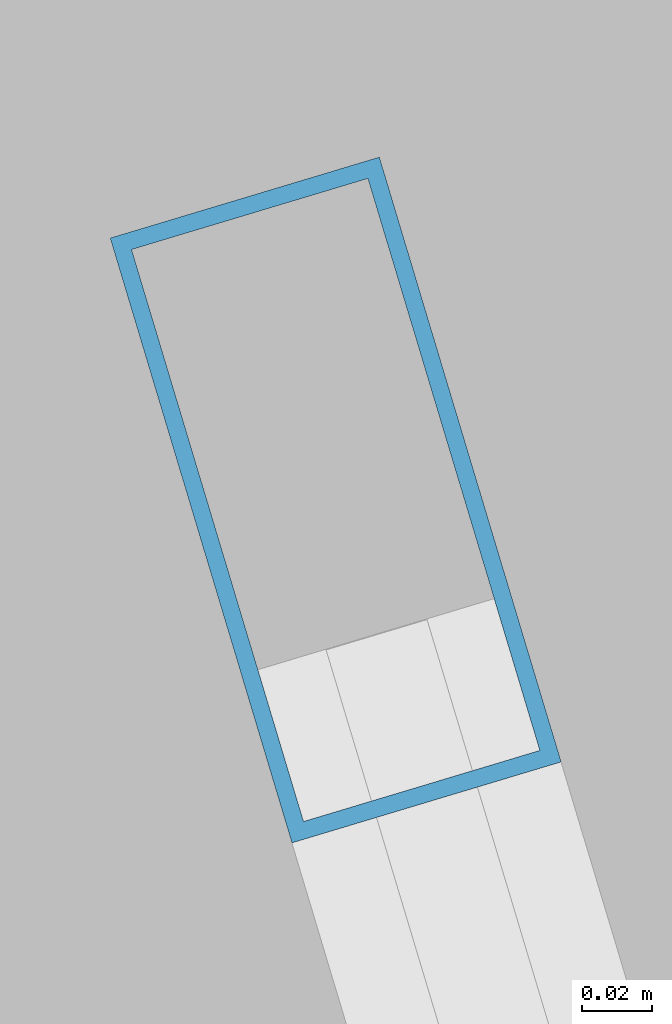
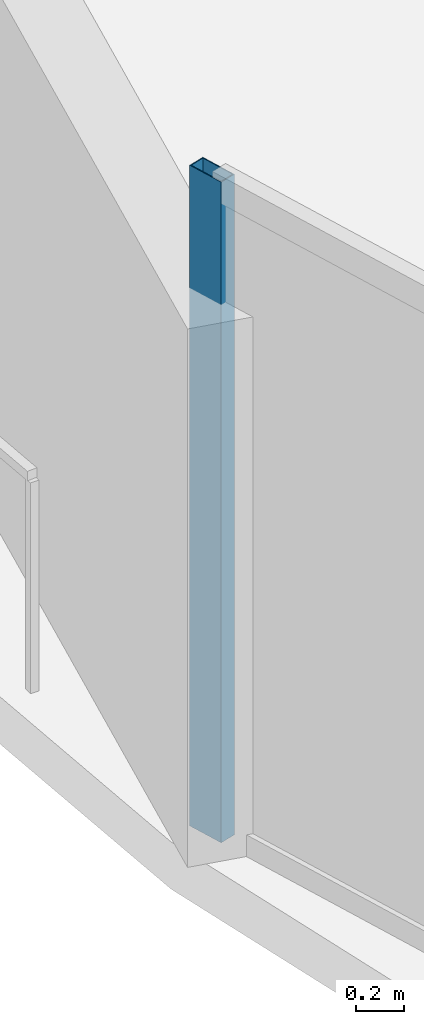
# One storey, part 8 of 31: 1 member, 1 element without a shape of its own.
"""IFC4 building model written with IfcOpenShell, lengths in metres."""

import ifcopenshell
import ifcopenshell.guid

model = None  # the IFC model being written
_history = None  # IfcOwnerHistory: only IFC2X3 demands one
_inside = {}  # id of a spatial element -> (the spatial element, [elements in it])
_under = {}  # id of a project, library or spatial element -> (it, [spatial elements below it])
_declared = {}  # id of a project -> (the project, [libraries it declares])
_typed = {}  # id of a type object -> (the type object, [elements of that type])
_made_of = {}  # id of a material, layer set ... -> (it, [elements and type objects made of it])


def new_model(schema):
    """Start an empty IFC model of exactly this schema.

    Asked for "IFC4X3", IfcOpenShell would pick the latest addendum, in which some entities
    have other attributes; the version numbers below select the first issue.
    IFC2X3 requires an IfcOwnerHistory on every rooted entity: one is made here for all.
    """
    global model, _history
    if schema == "IFC4X3":
        model = ifcopenshell.file(schema_version=(4, 3, 0, 0))
    else:
        model = ifcopenshell.file(schema=schema)
    _inside.clear()
    _under.clear()
    _declared.clear()
    _typed.clear()
    _made_of.clear()
    _history = None
    if model.schema == "IFC2X3":
        org = make("IfcOrganization", Name="unknown")
        user = make(
            "IfcPersonAndOrganization",
            ThePerson=make("IfcPerson", FamilyName="unknown"),
            TheOrganization=org,
        )
        app = make(
            "IfcApplication",
            ApplicationDeveloper=org,
            Version="unknown",
            ApplicationFullName="unknown",
            ApplicationIdentifier="unknown",
        )
        _history = make(
            "IfcOwnerHistory",
            OwningUser=user,
            OwningApplication=app,
            ChangeAction="ADDED",
            CreationDate=0,
        )
    return model


def make(cls, **values):
    """One entity of the class cls with the attributes given. An attribute that is None is left unset."""
    return model.create_entity(
        cls, **{name: value for name, value in values.items() if value is not None}
    )


def rooted(cls, **values):
    """An entity with a GlobalId (a new one), such as an element, a storey or a relation."""
    return make(cls, GlobalId=ifcopenshell.guid.new(), OwnerHistory=_history, **values)


def si_unit(unit_type, name, prefix=None):
    """IfcSIUnit, for example si_unit("LENGTHUNIT", "METRE", prefix="MILLI")."""
    return make("IfcSIUnit", UnitType=unit_type, Prefix=prefix, Name=name)


def assignment(units):
    """IfcUnitAssignment: the units of a project."""
    return None if units is None else make("IfcUnitAssignment", Units=units)


def point(xyz):
    """IfcCartesianPoint."""
    return None if xyz is None else make("IfcCartesianPoint", Coordinates=xyz)


def direction(xyz):
    """IfcDirection."""
    return None if xyz is None else make("IfcDirection", DirectionRatios=xyz)


def frame(location, z_axis=None, x_axis=None):
    """IfcAxis2Placement3D, a coordinate frame: its origin and axes. An axis left out is left unset."""
    return make(
        "IfcAxis2Placement3D",
        Location=point(location),
        Axis=direction(z_axis),
        RefDirection=direction(x_axis),
    )


def frame_2d(location, x_axis=None):
    """IfcAxis2Placement2D, a coordinate frame in the plane: its origin and x axis."""
    return make(
        "IfcAxis2Placement2D", Location=point(location), RefDirection=direction(x_axis)
    )


def origin():
    """The frame at (0, 0, 0) with its axes left unset."""
    return frame((0.0, 0.0, 0.0))


def origin_2d():
    """The frame at (0, 0) in the plane with its x axis left unset."""
    return frame_2d((0.0, 0.0))


def place(relative_to, where):
    """IfcLocalPlacement: puts the frame where relative to a parent placement (None: the world)."""
    return make(
        "IfcLocalPlacement", PlacementRelTo=relative_to, RelativePlacement=where
    )


def context(
    kind, dimensions, precision=None, world=None, true_north=None, identifier=None
):
    """IfcGeometricRepresentationContext, for example the 3D "Model" context."""
    return make(
        "IfcGeometricRepresentationContext",
        ContextIdentifier=identifier,
        ContextType=kind,
        CoordinateSpaceDimension=dimensions,
        Precision=precision,
        WorldCoordinateSystem=world,
        TrueNorth=true_north,
    )


def subcontext(parent, identifier, kind, view, scale=None):
    """IfcGeometricRepresentationSubContext, for example "Body" below "Model"."""
    return make(
        "IfcGeometricRepresentationSubContext",
        ContextIdentifier=identifier,
        ContextType=kind,
        ParentContext=parent,
        TargetScale=scale,
        TargetView=view,
    )


def project(units=None, contexts=None):
    """IfcProject with its units and contexts."""
    return rooted(
        "IfcProject",
        Name="project",
        RepresentationContexts=contexts,
        UnitsInContext=assignment(units),
    )


def spatial(cls, under=None, at=None, **own):
    """A site, building, storey or space (cls), placed at a placement, below another one or the project."""
    s = rooted(cls, ObjectPlacement=at, **own)
    if under is not None:
        _under.setdefault(under.id(), (under, []))[1].append(s)
    return s


def profile(cls, at=None, kind="AREA", **sizes):
    """A parametric profile (cls). Its sizes go by their IFC names, for example OverallWidth=200.0."""
    return make(cls, ProfileType=kind, Position=at, **sizes)


def hollow_rectangle(**sizes):
    """IfcRectangleHollowProfileDef."""
    return profile("IfcRectangleHollowProfileDef", **sizes)


def extrude(swept, where, along, depth):
    """IfcExtrudedAreaSolid: the profile swept, set in the frame where, extruded along a direction by depth."""
    return make(
        "IfcExtrudedAreaSolid",
        SweptArea=swept,
        Position=where,
        ExtrudedDirection=direction(along),
        Depth=depth,
    )


def shape(context_of_items, identifier, shape_type, items):
    """IfcShapeRepresentation: the items that make up one representation, for example the "Body"."""
    return make(
        "IfcShapeRepresentation",
        ContextOfItems=context_of_items,
        RepresentationIdentifier=identifier,
        RepresentationType=shape_type,
        Items=items,
    )


def material(Name=None, Category=None):
    """IfcMaterial."""
    return make("IfcMaterial", Name=Name, Category=Category)


def layer(
    of_material, thickness, ventilated=None, Name=None, Category=None, Priority=None
):
    """IfcMaterialLayer: one layer of a wall or slab, of a material (None: an air gap)."""
    return make(
        "IfcMaterialLayer",
        Material=of_material,
        LayerThickness=thickness,
        IsVentilated=ventilated,
        Name=Name,
        Category=Category,
        Priority=Priority,
    )


def layer_set(layers, Name=None):
    """IfcMaterialLayerSet."""
    return make("IfcMaterialLayerSet", MaterialLayers=layers, LayerSetName=Name)


def material_profile(
    of_material, cross_section, Name=None, Category=None, Priority=None
):
    """IfcMaterialProfile: a cross section and its material."""
    return make(
        "IfcMaterialProfile",
        Name=Name,
        Material=of_material,
        Profile=cross_section,
        Priority=Priority,
        Category=Category,
    )


def profile_set(profiles, Name=None, composite=None):
    """IfcMaterialProfileSet."""
    return make(
        "IfcMaterialProfileSet",
        Name=Name,
        MaterialProfiles=profiles,
        CompositeProfile=composite,
    )


def made_of(thing, what):
    """Note that an element or type object is made of a material, layer set ...; save() writes the relation."""
    if what is not None:
        _made_of.setdefault(what.id(), (what, []))[1].append(thing)
    return thing


def type_object(cls, material=None, **own):
    """A type object (cls), such as IfcWallType, which elements share."""
    return made_of(rooted(cls, **own), material)


def element(
    cls,
    number,
    at=None,
    inside=None,
    cuts=None,
    type_object=None,
    material=None,
    context=None,
    identifier="Body",
    shape_type=None,
    held_by="IfcProductDefinitionShape",
    body=None,
    shapes=None,
    **own,
):
    """One element of the class cls, such as IfcWall. Its Tag is "e" and its number.

    at: its placement. inside: the storey or other place that contains it. cuts: it is an
    opening in that element (IfcRelVoidsElement). A single representation is given by context,
    identifier, shape_type and body (its items); several are given by shapes. held_by: the class
    of the entity that holds the representations. save() writes the other relations.
    """
    e = rooted(cls, Tag="e%d" % number, ObjectPlacement=at, **own)
    if body is not None:
        shapes = [shape(context, identifier, shape_type, body)]
    if shapes is not None:
        e.Representation = make(held_by, Representations=shapes)
    if inside is not None:
        _inside.setdefault(inside.id(), (inside, []))[1].append(e)
    if cuts is not None:
        rooted(
            "IfcRelVoidsElement", RelatingBuildingElement=cuts, RelatedOpeningElement=e
        )
    if type_object is not None:
        _typed.setdefault(type_object.id(), (type_object, []))[1].append(e)
    return made_of(e, material)


def aggregate(whole, parts):
    """IfcRelAggregates: a whole, such as a stair, and the parts it consists of."""
    return rooted("IfcRelAggregates", RelatingObject=whole, RelatedObjects=parts)


def save(model, path):
    """Write the relations noted so far, then the file.

    IfcRelAggregates (storeys below a building ...), IfcRelContainedInSpatialStructure (elements
    in a storey), IfcRelDefinesByType, IfcRelAssociatesMaterial and IfcRelDeclares: one each for
    every whole, place, type object, material and project.
    """
    for whole, parts in _under.values():
        aggregate(whole, parts)
    for where, things in _inside.values():
        rooted(
            "IfcRelContainedInSpatialStructure",
            RelatedElements=things,
            RelatingStructure=where,
        )
    for kind, things in _typed.values():
        rooted("IfcRelDefinesByType", RelatedObjects=things, RelatingType=kind)
    for what, things in _made_of.values():
        rooted("IfcRelAssociatesMaterial", RelatedObjects=things, RelatingMaterial=what)
    for by, libraries in _declared.values():
        rooted("IfcRelDeclares", RelatingContext=by, RelatedDefinitions=libraries)
    model.write(path)


model = new_model("IFC4")

# Units and contexts
model_context = context("Model", 3, precision=1e-05, world=origin(), true_north=direction((0.0, 1.0)))
body_context = subcontext(model_context, "Body", "Model", "MODEL_VIEW")
ifc_project = project(units=[si_unit("LENGTHUNIT", "METRE"), si_unit("AREAUNIT", "SQUARE_METRE"), si_unit("VOLUMEUNIT", "CUBIC_METRE"), si_unit("PLANEANGLEUNIT", "RADIAN"), si_unit("MASSUNIT", "GRAM", prefix="KILO")], contexts=[model_context])

# Site, building, storey
site_placement = place(None, origin())
site = spatial("IfcSite", under=ifc_project, at=site_placement, CompositionType="ELEMENT")
building_placement = place(site_placement, origin())
building = spatial("IfcBuilding", under=site, at=building_placement, Name="Kazevale Care Tower and Concert Hall", CompositionType="ELEMENT")
storey_placement = place(building_placement, frame((0.0, 0.0, 78.0)))
storey = spatial("IfcBuildingStorey", under=building, at=storey_placement, Name="L20", CompositionType="ELEMENT", Elevation=78.0)

# Curtain wall, member
ifc_material_1 = material(Name="Aluminium 6063-T6 and Low-E Glass", Category="aluminium")
ifc_layer = layer(ifc_material_1, 0.179931640625)
ifc_layer_set = layer_set([ifc_layer], Name="Aluminium 6063-T6 and Low-E Glass")
curtain_wall_type = type_object("IfcCurtainWallType", Name="Waist & Upper Residential Curtain Wall CW-4", PredefinedType="NOTDEFINED", material=ifc_layer_set)
curtain_wall_placement = place(storey_placement, origin())
curtain_wall = element("IfcCurtainWall", 1, at=curtain_wall_placement, inside=storey, type_object=curtain_wall_type, Name="cw:L20:f12", PredefinedType="NOTDEFINED")
ifc_material_2 = material(Name="Aluminium 6063-T6", Category="aluminium")
ifc_material_profile = material_profile(ifc_material_2, hollow_rectangle(XDim=0.080078125, YDim=0.179931640625, WallThickness=0.0048828125, at=origin_2d()), Name="ALU80x180x5")
ifc_profile_set = profile_set([ifc_material_profile], Name="Aluminium 6063-T6")
member_type = type_object("IfcMemberType", Name="CW-4 Mullion ALU80x180x5", PredefinedType="MULLION", material=ifc_profile_set)
member_placement = place(storey_placement, frame((12.198486328125, 35.052734375, 0.0), z_axis=(0.0, 0.0, 1.0), x_axis=(-0.957661755703, -0.287895747909, 0.0)))
member = element("IfcMember", 2, at=member_placement, type_object=member_type, Name="CW-4 mullion 2", PredefinedType="MULLION", context=body_context, shape_type="SweptSolid", body=[
    extrude(hollow_rectangle(XDim=0.080078125, YDim=0.179931640625, WallThickness=0.0048828125, at=origin_2d()), origin(), (0.0, 0.0, 1.0), 3.360107421875),
])
aggregate(curtain_wall, [member])

save(model, "model.ifc")
